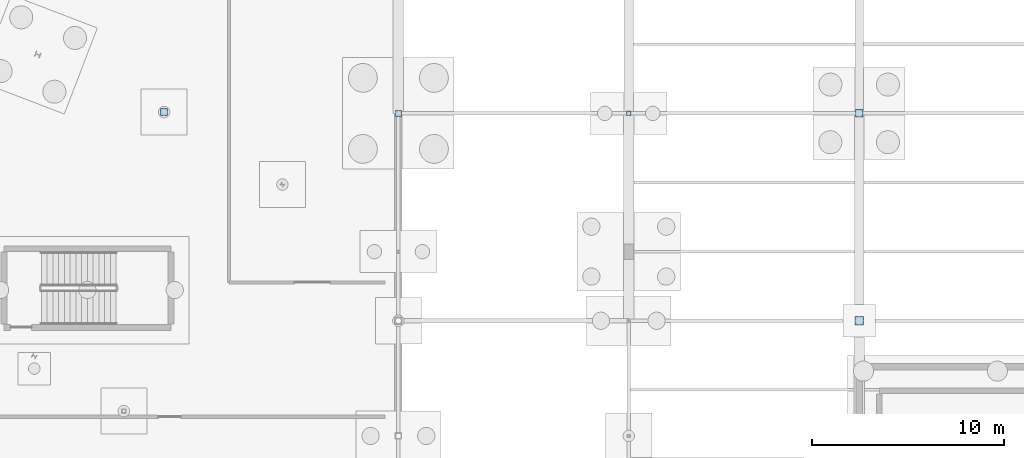
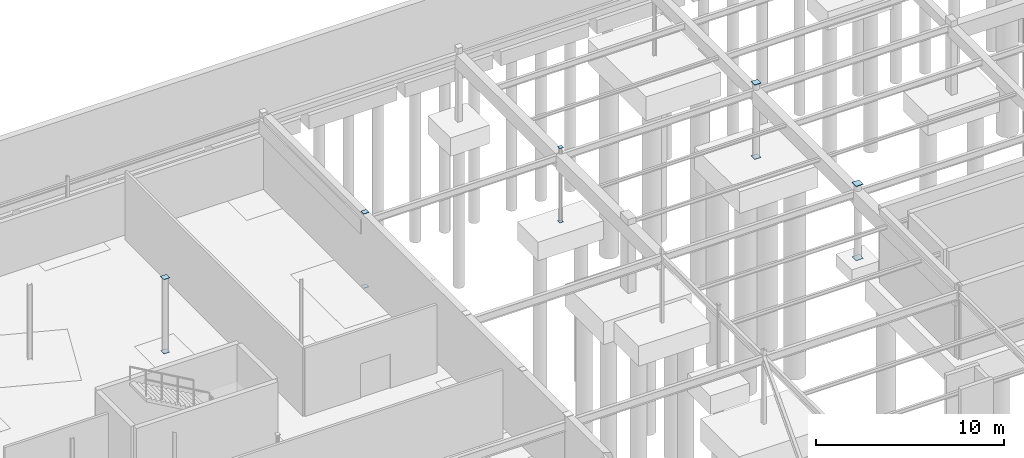
# One storey, part 109 of 136: 10 plates.
"""IFC4 building model written with IfcOpenShell, lengths in metres."""

from ifc_helpers import new_model, si_unit, direction, frame, origin, origin_2d, place, context, subcontext, project, spatial, rectangle, extrude, material, layer, layer_set, type_object, element, save


model = new_model("IFC4")

# Units and contexts
model_context = context("Model", 3, precision=1e-05, world=origin(), true_north=direction((0.0, 1.0)))
body_context = subcontext(model_context, "Body", "Model", "MODEL_VIEW")
ifc_project = project(units=[si_unit("LENGTHUNIT", "METRE"), si_unit("AREAUNIT", "SQUARE_METRE"), si_unit("VOLUMEUNIT", "CUBIC_METRE"), si_unit("PLANEANGLEUNIT", "RADIAN"), si_unit("MASSUNIT", "GRAM", prefix="KILO")], contexts=[model_context])

# Site, building, storey
site_placement = place(None, origin())
site = spatial("IfcSite", under=ifc_project, at=site_placement, CompositionType="ELEMENT")
building_placement = place(site_placement, origin())
building = spatial("IfcBuilding", under=site, at=building_placement, Name="Tarnwether General Hospital", CompositionType="ELEMENT")
storey_placement = place(building_placement, frame((0.0, 0.0, -4.800048828125)))
storey = spatial("IfcBuildingStorey", under=building, at=storey_placement, Name="LG", CompositionType="ELEMENT", Elevation=-4.800048828125)

# Plates
ifc_material = material(Name="Steel Grade 350 (350 MPa)", Category="steel")
ifc_layer = layer(ifc_material, 0.02490234375)
ifc_layer_set = layer_set([ifc_layer], Name="Steel Grade 350 (350 MPa)")
plate_type = type_object("IfcPlateType", Name="PT-GUS2", PredefinedType="USERDEFINED", material=ifc_layer_set)
for number, where, z_axis, x_axis, name in (
    (1, (132.0, 115.199951171875, -0.02490234375), (0.0, 0.0, 1.0), (1.0, 0.0, 0.0), "Hollow Section Welded End Cap Plate 0253"),
    (2, (132.0, 115.199951171875, 4.800048828125), (0.0, 0.0, 1.0), (1.0, 0.0, 0.0), "Hollow Section Welded End Cap Plate 0254"),
):
    element("IfcPlate", number, at=place(storey_placement, frame(where, z_axis=z_axis, x_axis=x_axis)), inside=storey, type_object=plate_type, Name=name, ObjectType="GUSSET", PredefinedType="USERDEFINED", context=body_context, shape_type="SweptSolid", body=[
        extrude(rectangle(XDim=0.31298828125, YDim=0.31298828125, at=origin_2d()), origin(), (0.0, 0.0, 1.0), 0.02490234375),
    ])
for number, where, z_axis, x_axis, name in (
    (3, (144.0, 115.199951171875, -0.02490234375), (0.0, 0.0, 1.0), (1.0, 0.0, 0.0), "Hollow Section Welded End Cap Plate 0301"),
    (4, (144.0, 115.199951171875, 4.800048828125), (0.0, 0.0, 1.0), (1.0, 0.0, 0.0), "Hollow Section Welded End Cap Plate 0302"),
):
    element("IfcPlate", number, at=place(storey_placement, frame(where, z_axis=z_axis, x_axis=x_axis)), inside=storey, type_object=plate_type, Name=name, ObjectType="GUSSET", PredefinedType="USERDEFINED", context=body_context, shape_type="SweptSolid", body=[
        extrude(rectangle(XDim=0.23388671875, YDim=0.23388671875, at=origin_2d()), origin(), (0.0, 0.0, 1.0), 0.02490234375),
    ])
for number, where, z_axis, x_axis, name in (
    (5, (156.0, 104.39990234375, -0.02490234375), (0.0, 0.0, 1.0), (1.0, 0.0, 0.0), "Hollow Section Welded End Cap Plate 0337"),
    (6, (156.0, 104.39990234375, 4.800048828125), (0.0, 0.0, 1.0), (1.0, 0.0, 0.0), "Hollow Section Welded End Cap Plate 0338"),
):
    element("IfcPlate", number, at=place(storey_placement, frame(where, z_axis=z_axis, x_axis=x_axis)), inside=storey, type_object=plate_type, Name=name, ObjectType="GUSSET", PredefinedType="USERDEFINED", context=body_context, shape_type="SweptSolid", body=[
        extrude(rectangle(XDim=0.446044921875, YDim=0.446044921875, at=origin_2d()), origin(), (0.0, 0.0, 1.0), 0.02490234375),
    ])
for number, where, z_axis, x_axis, name in (
    (7, (156.0, 115.199951171875, -0.02490234375), (0.0, 0.0, 1.0), (1.0, 0.0, 0.0), "Hollow Section Welded End Cap Plate 0347"),
    (8, (156.0, 115.199951171875, 4.800048828125), (0.0, 0.0, 1.0), (1.0, 0.0, 0.0), "Hollow Section Welded End Cap Plate 0348"),
):
    element("IfcPlate", number, at=place(storey_placement, frame(where, z_axis=z_axis, x_axis=x_axis)), inside=storey, type_object=plate_type, Name=name, ObjectType="GUSSET", PredefinedType="USERDEFINED", context=body_context, shape_type="SweptSolid", body=[
        extrude(rectangle(XDim=0.39599609375, YDim=0.39599609375, at=origin_2d()), origin(), (0.0, 0.0, 1.0), 0.02490234375),
    ])
for number, where, z_axis, x_axis, name in (
    (9, (119.79296875, 115.27001953125, -0.02490234375), (0.0, 0.0, 1.0), (1.0, 0.0, 0.0), "Hollow Section Welded End Cap Plate 0579"),
    (10, (119.79296875, 115.27001953125, 4.800048828125), (0.0, 0.0, 1.0), (1.0, 0.0, 0.0), "Hollow Section Welded End Cap Plate 0580"),
):
    element("IfcPlate", number, at=place(storey_placement, frame(where, z_axis=z_axis, x_axis=x_axis)), inside=storey, type_object=plate_type, Name=name, ObjectType="GUSSET", PredefinedType="USERDEFINED", context=body_context, shape_type="SweptSolid", body=[
        extrude(rectangle(XDim=0.364013671875, YDim=0.364013671875, at=origin_2d()), origin(), (0.0, 0.0, 1.0), 0.02490234375),
    ])

save(model, "model.ifc")
